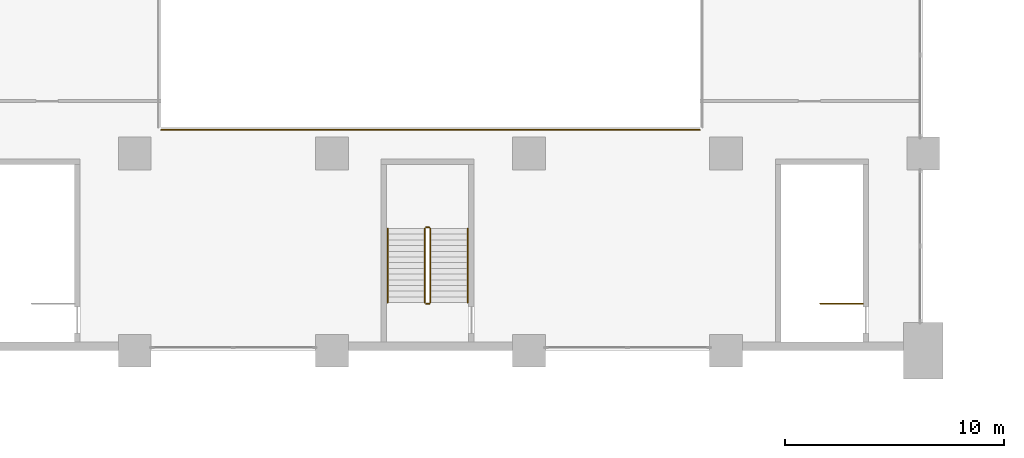
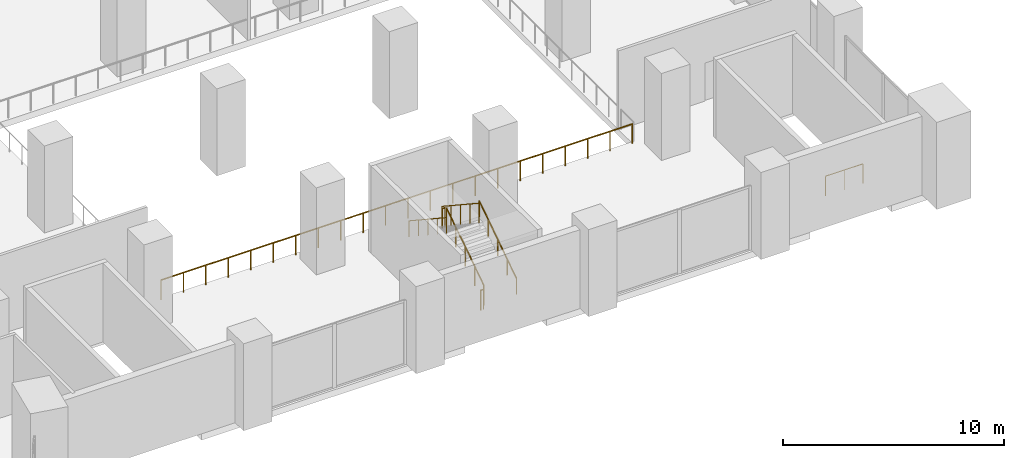
# One storey, part 30 of 32: 8 railings.
"""IFC4 building model written with IfcOpenShell, lengths in metres."""

from ifc_helpers import new_model, si_unit, direction, frame, origin, origin_2d, place, context, subcontext, project, spatial, circle, extrude, material, type_object, element, save


model = new_model("IFC4")

# Units and contexts
model_context = context("Model", 3, precision=1e-05, world=origin(), true_north=direction((0.0, 1.0)))
body_context = subcontext(model_context, "Body", "Model", "MODEL_VIEW")
ifc_project = project(units=[si_unit("LENGTHUNIT", "METRE"), si_unit("AREAUNIT", "SQUARE_METRE"), si_unit("VOLUMEUNIT", "CUBIC_METRE"), si_unit("PLANEANGLEUNIT", "RADIAN"), si_unit("MASSUNIT", "GRAM", prefix="KILO")], contexts=[model_context])

# Site, building, storey
site_placement = place(None, origin())
site = spatial("IfcSite", under=ifc_project, at=site_placement, CompositionType="ELEMENT")
building_placement = place(site_placement, origin())
building = spatial("IfcBuilding", under=site, at=building_placement, Name="Hunhe Ridgeline Campus", CompositionType="ELEMENT")
storey_placement = place(building_placement, frame((0.0, 0.0, 26.39990234375)))
storey = spatial("IfcBuildingStorey", under=building, at=storey_placement, Name="L05", CompositionType="ELEMENT", Elevation=26.39990234375)

# Railings
ifc_material_1 = material(Name="Glass and steel", Category="steel")
railing_type_1 = type_object("IfcRailingType", Name="Atrium glass guard 1100", PredefinedType="GUARDRAIL", material=ifc_material_1)
railing_1_placement = place(storey_placement, frame((55.199951171875, 28.080078125, 0.0)))
element("IfcRailing", 1, at=railing_1_placement, inside=storey, type_object=railing_type_1, Name="L05 atrium guard", PredefinedType="GUARDRAIL", context=body_context, shape_type="SweptSolid", body=[
    extrude(circle(Radius=0.02392578125, at=origin_2d()), frame((0.0, 0.0, 1.076171875), z_axis=(1.0, 0.0, 0.0), x_axis=(0.0, 1.0, 0.0)), (0.0, 0.0, 1.0), 24.60009765625),
    extrude(circle(Radius=0.02099609375, at=origin_2d()), origin(), (0.0, 0.0, 1.0), 1.052001953125),
    extrude(circle(Radius=0.02099609375, at=origin_2d()), frame((1.17138671875, 0.0, 0.0)), (0.0, 0.0, 1.0), 1.052001953125),
    extrude(circle(Radius=0.02099609375, at=origin_2d()), frame((2.3427734375, 0.0, 0.0)), (0.0, 0.0, 1.0), 1.052001953125),
    extrude(circle(Radius=0.02099609375, at=origin_2d()), frame((3.514404296875, 0.0, 0.0)), (0.0, 0.0, 1.0), 1.052001953125),
    extrude(circle(Radius=0.02099609375, at=origin_2d()), frame((4.685791015625, 0.0, 0.0)), (0.0, 0.0, 1.0), 1.052001953125),
    extrude(circle(Radius=0.02099609375, at=origin_2d()), frame((5.857177734375, 0.0, 0.0)), (0.0, 0.0, 1.0), 1.052001953125),
    extrude(circle(Radius=0.02099609375, at=origin_2d()), frame((7.028564453125, 0.0, 0.0)), (0.0, 0.0, 1.0), 1.052001953125),
    extrude(circle(Radius=0.02099609375, at=origin_2d()), frame((8.199951171875, 0.0, 0.0)), (0.0, 0.0, 1.0), 1.052001953125),
    extrude(circle(Radius=0.02099609375, at=origin_2d()), frame((9.37158203125, 0.0, 0.0)), (0.0, 0.0, 1.0), 1.052001953125),
    extrude(circle(Radius=0.02099609375, at=origin_2d()), frame((10.54296875, 0.0, 0.0)), (0.0, 0.0, 1.0), 1.052001953125),
    extrude(circle(Radius=0.02099609375, at=origin_2d()), frame((11.71435546875, 0.0, 0.0)), (0.0, 0.0, 1.0), 1.052001953125),
    extrude(circle(Radius=0.02099609375, at=origin_2d()), frame((12.8857421875, 0.0, 0.0)), (0.0, 0.0, 1.0), 1.052001953125),
    extrude(circle(Radius=0.02099609375, at=origin_2d()), frame((14.05712890625, 0.0, 0.0)), (0.0, 0.0, 1.0), 1.052001953125),
    extrude(circle(Radius=0.02099609375, at=origin_2d()), frame((15.228515625, 0.0, 0.0)), (0.0, 0.0, 1.0), 1.052001953125),
    extrude(circle(Radius=0.02099609375, at=origin_2d()), frame((16.400146484375, 0.0, 0.0)), (0.0, 0.0, 1.0), 1.052001953125),
    extrude(circle(Radius=0.02099609375, at=origin_2d()), frame((17.571533203125, 0.0, 0.0)), (0.0, 0.0, 1.0), 1.052001953125),
    extrude(circle(Radius=0.02099609375, at=origin_2d()), frame((18.742919921875, 0.0, 0.0)), (0.0, 0.0, 1.0), 1.052001953125),
    extrude(circle(Radius=0.02099609375, at=origin_2d()), frame((19.914306640625, 0.0, 0.0)), (0.0, 0.0, 1.0), 1.052001953125),
    extrude(circle(Radius=0.02099609375, at=origin_2d()), frame((21.085693359375, 0.0, 0.0)), (0.0, 0.0, 1.0), 1.052001953125),
    extrude(circle(Radius=0.02099609375, at=origin_2d()), frame((22.25732421875, 0.0, 0.0)), (0.0, 0.0, 1.0), 1.052001953125),
    extrude(circle(Radius=0.02099609375, at=origin_2d()), frame((23.4287109375, 0.0, 0.0)), (0.0, 0.0, 1.0), 1.052001953125),
    extrude(circle(Radius=0.02099609375, at=origin_2d()), frame((24.60009765625, 0.0, 0.0)), (0.0, 0.0, 1.0), 1.052001953125),
])
ifc_material_2 = material(Name="Steel Q235", Category="steel")
railing_type_2 = type_object("IfcRailingType", Name="Podium stair guard 1100", PredefinedType="GUARDRAIL", material=ifc_material_2)
railing_2_placement = place(storey_placement, frame((67.5, 20.199951171875, 0.171630859375)))
element("IfcRailing", 2, at=railing_2_placement, inside=storey, type_object=railing_type_2, Name="L05 PS2 stair guard 1", PredefinedType="GUARDRAIL", context=body_context, shape_type="SweptSolid", body=[
    extrude(circle(Radius=0.02392578125, at=origin_2d()), frame((0.0, 0.0, 1.076171875), z_axis=(0.0, 0.834878220475, 0.550434698194), x_axis=(-1.0, 0.0, 0.0)), (0.0, 0.0, 1.0), 4.048583984375),
    extrude(circle(Radius=0.02099609375, at=origin_2d()), origin(), (0.0, 0.0, 1.0), 1.052001953125),
    extrude(circle(Radius=0.02099609375, at=origin_2d()), frame((0.0, 0.844970703125, 0.55712890625)), (0.0, 0.0, 1.0), 1.052001953125),
    extrude(circle(Radius=0.02099609375, at=origin_2d()), frame((0.0, 1.68994140625, 1.1142578125)), (0.0, 0.0, 1.0), 1.052001953125),
    extrude(circle(Radius=0.02099609375, at=origin_2d()), frame((0.0, 2.53515625, 1.67138671875)), (0.0, 0.0, 1.0), 1.052001953125),
    extrude(circle(Radius=0.02099609375, at=origin_2d()), frame((0.0, 3.380126953125, 2.228515625)), (0.0, 0.0, 1.0), 1.052001953125),
])
railing_3_placement = place(storey_placement, frame((67.449951171875, 23.6298828125, 2.400146484375)))
element("IfcRailing", 3, at=railing_3_placement, inside=storey, type_object=railing_type_2, Name="L05 PS2 stair guard 2", PredefinedType="GUARDRAIL", context=body_context, shape_type="SweptSolid", body=[
    extrude(circle(Radius=0.02392578125, at=origin_2d()), frame((0.0, 0.0, 1.076171875), z_axis=(-1.0, 0.0, 0.0), x_axis=(0.0, -1.0, 0.0)), (0.0, 0.0, 1.0), 0.14990234375),
    extrude(circle(Radius=0.02099609375, at=origin_2d()), origin(), (0.0, 0.0, 1.0), 1.052001953125),
    extrude(circle(Radius=0.02099609375, at=origin_2d()), frame((-0.14990234375, 0.0, 0.0)), (0.0, 0.0, 1.0), 1.052001953125),
])
railing_4_placement = place(storey_placement, frame((67.25, 23.580078125, 2.571533203125)))
element("IfcRailing", 4, at=railing_4_placement, inside=storey, type_object=railing_type_2, Name="L05 PS2 stair guard 3", PredefinedType="GUARDRAIL", context=body_context, shape_type="SweptSolid", body=[
    extrude(circle(Radius=0.02392578125, at=origin_2d()), frame((0.0, 0.0, 1.076171875), z_axis=(0.0, -0.834878220475, 0.550434698194), x_axis=(1.0, 0.0, 0.0)), (0.0, 0.0, 1.0), 4.048583984375),
    extrude(circle(Radius=0.02099609375, at=origin_2d()), origin(), (0.0, 0.0, 1.0), 1.052001953125),
    extrude(circle(Radius=0.02099609375, at=origin_2d()), frame((0.0, -0.844970703125, 0.55712890625)), (0.0, 0.0, 1.0), 1.052001953125),
    extrude(circle(Radius=0.02099609375, at=origin_2d()), frame((0.0, -1.68994140625, 1.1142578125)), (0.0, 0.0, 1.0), 1.052001953125),
    extrude(circle(Radius=0.02099609375, at=origin_2d()), frame((0.0, -2.53515625, 1.67138671875)), (0.0, 0.0, 1.0), 1.052001953125),
    extrude(circle(Radius=0.02099609375, at=origin_2d()), frame((0.0, -3.380126953125, 2.228515625)), (0.0, 0.0, 1.0), 1.052001953125),
])
railing_5_placement = place(storey_placement, frame((67.449951171875, 20.14990234375, 0.0)))
element("IfcRailing", 5, at=railing_5_placement, inside=storey, type_object=railing_type_2, Name="L05 PS2 stair guard 4", PredefinedType="GUARDRAIL", context=body_context, shape_type="SweptSolid", body=[
    extrude(circle(Radius=0.02392578125, at=origin_2d()), frame((0.0, 0.0, 1.076171875), z_axis=(-1.0, 0.0, 0.0), x_axis=(0.0, -1.0, 0.0)), (0.0, 0.0, 1.0), 0.14990234375),
    extrude(circle(Radius=0.02099609375, at=origin_2d()), origin(), (0.0, 0.0, 1.0), 1.052001953125),
    extrude(circle(Radius=0.02099609375, at=origin_2d()), frame((-0.14990234375, 0.0, 0.0)), (0.0, 0.0, 1.0), 1.052001953125),
])
railing_6_placement = place(storey_placement, frame((87.25, 20.14990234375, 0.0)))
element("IfcRailing", 6, at=railing_6_placement, inside=storey, type_object=railing_type_2, Name="L05 PS3 top well guard 1", PredefinedType="GUARDRAIL", context=body_context, shape_type="SweptSolid", body=[
    extrude(circle(Radius=0.02392578125, at=origin_2d()), frame((0.0, 0.0, 1.076171875), z_axis=(-1.0, 0.0, 0.0), x_axis=(0.0, -1.0, 0.0)), (0.0, 0.0, 1.0), 1.949951171875),
    extrude(circle(Radius=0.02099609375, at=origin_2d()), origin(), (0.0, 0.0, 1.0), 1.052001953125),
    extrude(circle(Radius=0.02099609375, at=origin_2d()), frame((-0.97509765625, 0.0, 0.0)), (0.0, 0.0, 1.0), 1.052001953125),
    extrude(circle(Radius=0.02099609375, at=origin_2d()), frame((-1.949951171875, 0.0, 0.0)), (0.0, 0.0, 1.0), 1.052001953125),
])
railing_type_3 = type_object("IfcRailingType", Name="Podium stair handrail", PredefinedType="HANDRAIL", material=ifc_material_2)
railing_7_placement = place(storey_placement, frame((69.199951171875, 20.199951171875, 0.171630859375)))
element("IfcRailing", 7, at=railing_7_placement, inside=storey, type_object=railing_type_3, Name="L05 PS2 stair handrail 1", PredefinedType="HANDRAIL", context=body_context, shape_type="SweptSolid", body=[
    extrude(circle(Radius=0.02392578125, at=origin_2d()), frame((0.0, 0.0, 0.8759765625), z_axis=(0.0, 0.834878220475, 0.550434698194), x_axis=(-1.0, 0.0, 0.0)), (0.0, 0.0, 1.0), 4.048583984375),
    extrude(circle(Radius=0.02099609375, at=origin_2d()), origin(), (0.0, 0.0, 1.0), 0.851806640625),
    extrude(circle(Radius=0.02099609375, at=origin_2d()), frame((0.0, 0.844970703125, 0.55712890625)), (0.0, 0.0, 1.0), 0.851806640625),
    extrude(circle(Radius=0.02099609375, at=origin_2d()), frame((0.0, 1.68994140625, 1.1142578125)), (0.0, 0.0, 1.0), 0.851806640625),
    extrude(circle(Radius=0.02099609375, at=origin_2d()), frame((0.0, 2.53515625, 1.67138671875)), (0.0, 0.0, 1.0), 0.851806640625),
    extrude(circle(Radius=0.02099609375, at=origin_2d()), frame((0.0, 3.380126953125, 2.228515625)), (0.0, 0.0, 1.0), 0.851806640625),
])
railing_8_placement = place(storey_placement, frame((65.550048828125, 23.580078125, 2.571533203125)))
element("IfcRailing", 8, at=railing_8_placement, inside=storey, type_object=railing_type_3, Name="L05 PS2 stair handrail 2", PredefinedType="HANDRAIL", context=body_context, shape_type="SweptSolid", body=[
    extrude(circle(Radius=0.02392578125, at=origin_2d()), frame((0.0, 0.0, 0.8759765625), z_axis=(0.0, -0.834878220475, 0.550434698194), x_axis=(1.0, 0.0, 0.0)), (0.0, 0.0, 1.0), 4.048583984375),
    extrude(circle(Radius=0.02099609375, at=origin_2d()), origin(), (0.0, 0.0, 1.0), 0.851806640625),
    extrude(circle(Radius=0.02099609375, at=origin_2d()), frame((0.0, -0.844970703125, 0.55712890625)), (0.0, 0.0, 1.0), 0.851806640625),
    extrude(circle(Radius=0.02099609375, at=origin_2d()), frame((0.0, -1.68994140625, 1.1142578125)), (0.0, 0.0, 1.0), 0.851806640625),
    extrude(circle(Radius=0.02099609375, at=origin_2d()), frame((0.0, -2.53515625, 1.67138671875)), (0.0, 0.0, 1.0), 0.851806640625),
    extrude(circle(Radius=0.02099609375, at=origin_2d()), frame((0.0, -3.380126953125, 2.228515625)), (0.0, 0.0, 1.0), 0.851806640625),
])

save(model, "model.ifc")
